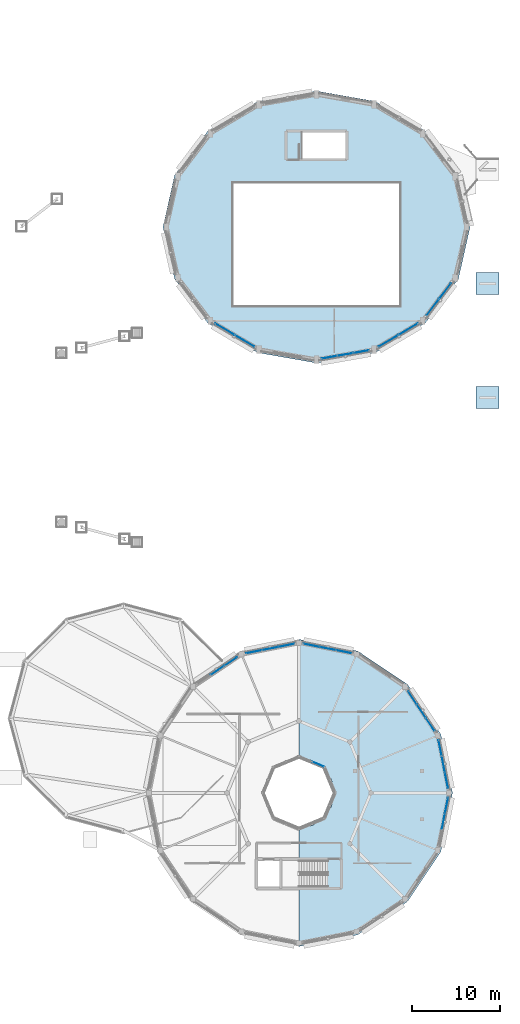
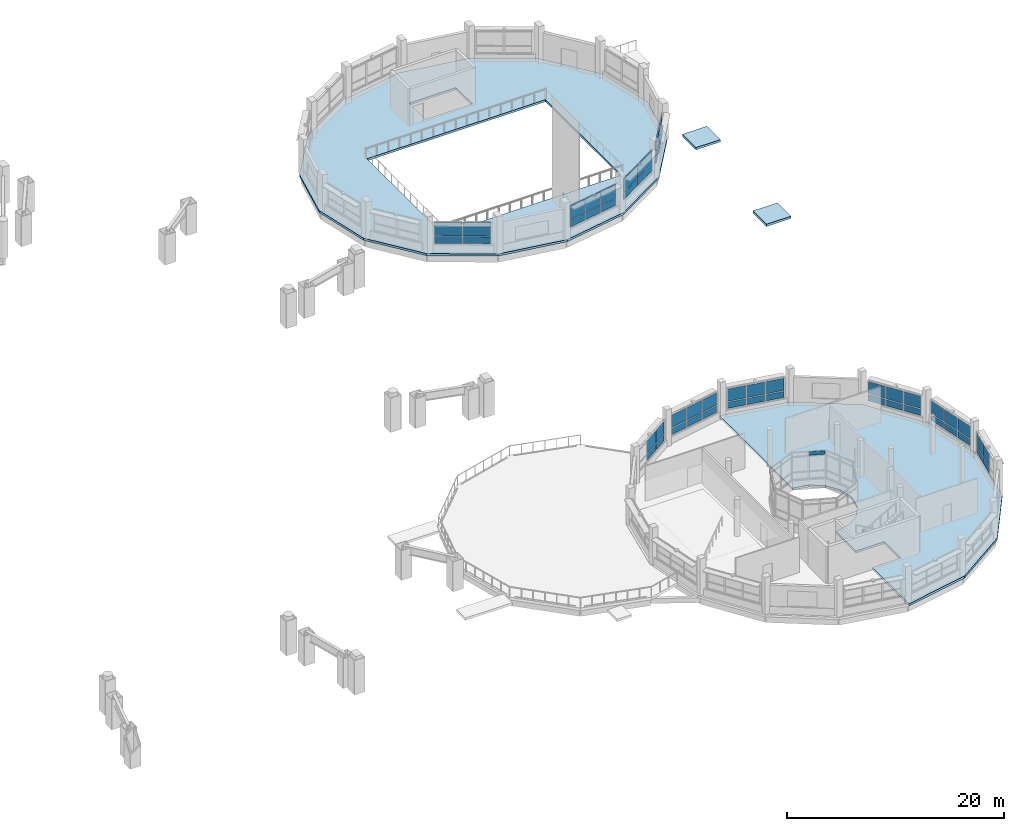
"""IFC4 building model written with IfcOpenShell, lengths in metres."""

from ifc_helpers import new_model, si_unit, direction, frame, origin, origin_2d, place, context, subcontext, project, spatial, polyline, rectangle, outline, extrude, material, layer, layer_set, type_object, element, aggregate, save


model = new_model("IFC4")

# Units and contexts
model_context = context("Model", 3, precision=1e-05, world=origin(), true_north=direction((0.0, 1.0)))
body_context = subcontext(model_context, "Body", "Model", "MODEL_VIEW")
ifc_project = project(units=[si_unit("LENGTHUNIT", "METRE"), si_unit("AREAUNIT", "SQUARE_METRE"), si_unit("VOLUMEUNIT", "CUBIC_METRE"), si_unit("PLANEANGLEUNIT", "RADIAN"), si_unit("MASSUNIT", "GRAM", prefix="KILO")], contexts=[model_context])

# Site, building, storey
site_placement = place(None, origin())
site = spatial("IfcSite", under=ifc_project, at=site_placement, CompositionType="ELEMENT")
building_placement = place(site_placement, origin())
building = spatial("IfcBuilding", under=site, at=building_placement, Name="Vespera Passage Community Centre", CompositionType="ELEMENT")
storey_1_placement = place(building_placement, frame((0.0, 0.0, 4.5)))
storey_1 = spatial("IfcBuildingStorey", under=building, at=storey_1_placement, Name="L01", CompositionType="ELEMENT", Elevation=4.5)

# Curtain wall, plates
ifc_material_1 = material(Name="Anodized aluminium 6063-T6", Category="aluminium")
ifc_layer_1 = layer(ifc_material_1, 0.159912109375)
ifc_layer_set_1 = layer_set([ifc_layer_1], Name="Anodized aluminium 6063-T6")
curtain_wall_type_1 = type_object("IfcCurtainWallType", Name="CW-105E", PredefinedType="NOTDEFINED", material=ifc_layer_set_1)
curtain_wall_1_placement = place(storey_1_placement, origin())
curtain_wall_1 = element("IfcCurtainWall", 1, at=curtain_wall_1_placement, inside=storey_1, type_object=curtain_wall_type_1, Name="Dining Drum Ribbon Curtain Wall L01.1", PredefinedType="NOTDEFINED")
ifc_material_2 = material(Name="Low-E insulated vision glass", Category="glass")
ifc_layer_2 = layer(ifc_material_2, 0.02001953125)
ifc_layer_set_2 = layer_set([ifc_layer_2], Name="Low-E insulated vision glass")
plate_type_1 = type_object("IfcPlateType", Name="PL-CWP-20E", PredefinedType="CURTAIN_PANEL", material=ifc_layer_set_2)
plate_1_placement = place(storey_1_placement, frame((157.084228515625, 30.1064453125, 0.89990234375), z_axis=(0.0, 0.0, 1.0), x_axis=(0.195096778691, -0.980783996069, 0.0)))
plate_1 = element("IfcPlate", 2, at=plate_1_placement, type_object=plate_type_1, Name="CW-105E panel 1.1", PredefinedType="CURTAIN_PANEL", context=body_context, shape_type="SweptSolid", body=[
    extrude(rectangle(XDim=1.789306640625, YDim=0.02001953125, at=origin_2d()), origin(), (0.0, 0.0, 1.0), 0.699951171875),
])
plate_2_placement = place(storey_1_placement, frame((157.084228515625, 30.1064453125, 1.699951171875), z_axis=(0.0, 0.0, 1.0), x_axis=(0.195096778691, -0.980783996069, 0.0)))
plate_2 = element("IfcPlate", 3, at=plate_2_placement, type_object=plate_type_1, Name="CW-105E panel 1.2", PredefinedType="CURTAIN_PANEL", context=body_context, shape_type="SweptSolid", body=[
    extrude(rectangle(XDim=1.789306640625, YDim=0.02001953125, at=origin_2d()), origin(), (0.0, 0.0, 1.0), 1.375),
])
plate_3_placement = place(storey_1_placement, frame((157.44921875, 28.27197265625, 0.89990234375), z_axis=(0.0, 0.0, 1.0), x_axis=(0.195096778691, -0.980783996069, 0.0)))
plate_3 = element("IfcPlate", 4, at=plate_3_placement, type_object=plate_type_1, Name="CW-105E panel 2.1", PredefinedType="CURTAIN_PANEL", context=body_context, shape_type="SweptSolid", body=[
    extrude(rectangle(XDim=1.82177734375, YDim=0.02001953125, at=origin_2d()), origin(), (0.0, 0.0, 1.0), 0.699951171875),
])
plate_4_placement = place(storey_1_placement, frame((157.44921875, 28.27197265625, 1.699951171875), z_axis=(0.0, 0.0, 1.0), x_axis=(0.195096778691, -0.980783996069, 0.0)))
plate_4 = element("IfcPlate", 5, at=plate_4_placement, type_object=plate_type_1, Name="CW-105E panel 2.2", PredefinedType="CURTAIN_PANEL", context=body_context, shape_type="SweptSolid", body=[
    extrude(rectangle(XDim=1.82177734375, YDim=0.02001953125, at=origin_2d()), origin(), (0.0, 0.0, 1.0), 1.375),
])
plate_5_placement = place(storey_1_placement, frame((157.81396484375, 26.4375, 0.89990234375), z_axis=(0.0, 0.0, 1.0), x_axis=(0.195096778691, -0.980783996069, 0.0)))
plate_5 = element("IfcPlate", 6, at=plate_5_placement, type_object=plate_type_1, Name="CW-105E panel 3.1", PredefinedType="CURTAIN_PANEL", context=body_context, shape_type="SweptSolid", body=[
    extrude(rectangle(XDim=1.789306640625, YDim=0.02001953125, at=origin_2d()), origin(), (0.0, 0.0, 1.0), 0.699951171875),
])
plate_6_placement = place(storey_1_placement, frame((157.81396484375, 26.4375, 1.699951171875), z_axis=(0.0, 0.0, 1.0), x_axis=(0.195096778691, -0.980783996069, 0.0)))
plate_6 = element("IfcPlate", 7, at=plate_6_placement, type_object=plate_type_1, Name="CW-105E panel 3.2", PredefinedType="CURTAIN_PANEL", context=body_context, shape_type="SweptSolid", body=[
    extrude(rectangle(XDim=1.789306640625, YDim=0.02001953125, at=origin_2d()), origin(), (0.0, 0.0, 1.0), 1.375),
])
aggregate(curtain_wall_1, [plate_1, plate_2, plate_3, plate_4, plate_5, plate_6])

ifc_material_3 = material(Name="Anodized aluminium 6063-T6", Category="aluminium")
ifc_layer_3 = layer(ifc_material_3, 0.159912109375)
ifc_layer_set_3 = layer_set([ifc_layer_3], Name="Anodized aluminium 6063-T6")
curtain_wall_type_2 = type_object("IfcCurtainWallType", Name="CW-106E", PredefinedType="NOTDEFINED", material=ifc_layer_set_3)
curtain_wall_2_placement = place(storey_1_placement, origin())
curtain_wall_2 = element("IfcCurtainWall", 8, at=curtain_wall_2_placement, inside=storey_1, type_object=curtain_wall_type_2, Name="Dining Drum Ribbon Curtain Wall L01.2", PredefinedType="NOTDEFINED")
plate_7_placement = place(storey_1_placement, frame((153.926025390625, 35.842529296875, 0.89990234375), z_axis=(0.0, 0.0, 1.0), x_axis=(0.555564700918, -0.831473308708, 0.0)))
plate_7 = element("IfcPlate", 9, at=plate_7_placement, type_object=plate_type_1, Name="CW-106E panel 1.1", PredefinedType="CURTAIN_PANEL", context=body_context, shape_type="SweptSolid", body=[
    extrude(rectangle(XDim=1.752685546875, YDim=0.02001953125, at=origin_2d()), origin(), (0.0, 0.0, 1.0), 0.699951171875),
])
plate_8_placement = place(storey_1_placement, frame((153.926025390625, 35.842529296875, 1.699951171875), z_axis=(0.0, 0.0, 1.0), x_axis=(0.555564700918, -0.831473308708, 0.0)))
plate_8 = element("IfcPlate", 10, at=plate_8_placement, type_object=plate_type_1, Name="CW-106E panel 1.2", PredefinedType="CURTAIN_PANEL", context=body_context, shape_type="SweptSolid", body=[
    extrude(rectangle(XDim=1.752685546875, YDim=0.02001953125, at=origin_2d()), origin(), (0.0, 0.0, 1.0), 1.375),
])
plate_9_placement = place(storey_1_placement, frame((154.94482421875, 34.317626953125, 0.89990234375), z_axis=(0.0, 0.0, 1.0), x_axis=(0.555564700918, -0.831473308708, 0.0)))
plate_9 = element("IfcPlate", 11, at=plate_9_placement, type_object=plate_type_1, Name="CW-106E panel 2.1", PredefinedType="CURTAIN_PANEL", context=body_context, shape_type="SweptSolid", body=[
    extrude(rectangle(XDim=1.78515625, YDim=0.02001953125, at=origin_2d()), origin(), (0.0, 0.0, 1.0), 0.699951171875),
])
plate_10_placement = place(storey_1_placement, frame((154.94482421875, 34.317626953125, 1.699951171875), z_axis=(0.0, 0.0, 1.0), x_axis=(0.555564700918, -0.831473308708, 0.0)))
plate_10 = element("IfcPlate", 12, at=plate_10_placement, type_object=plate_type_1, Name="CW-106E panel 2.2", PredefinedType="CURTAIN_PANEL", context=body_context, shape_type="SweptSolid", body=[
    extrude(rectangle(XDim=1.78515625, YDim=0.02001953125, at=origin_2d()), origin(), (0.0, 0.0, 1.0), 1.375),
])
plate_11_placement = place(storey_1_placement, frame((155.963623046875, 32.79296875, 0.89990234375), z_axis=(0.0, 0.0, 1.0), x_axis=(0.555564700918, -0.831473308708, 0.0)))
plate_11 = element("IfcPlate", 13, at=plate_11_placement, type_object=plate_type_1, Name="CW-106E panel 3.1", PredefinedType="CURTAIN_PANEL", context=body_context, shape_type="SweptSolid", body=[
    extrude(rectangle(XDim=1.752685546875, YDim=0.02001953125, at=origin_2d()), origin(), (0.0, 0.0, 1.0), 0.699951171875),
])
plate_12_placement = place(storey_1_placement, frame((155.963623046875, 32.79296875, 1.699951171875), z_axis=(0.0, 0.0, 1.0), x_axis=(0.555564700918, -0.831473308708, 0.0)))
plate_12 = element("IfcPlate", 14, at=plate_12_placement, type_object=plate_type_1, Name="CW-106E panel 3.2", PredefinedType="CURTAIN_PANEL", context=body_context, shape_type="SweptSolid", body=[
    extrude(rectangle(XDim=1.752685546875, YDim=0.02001953125, at=origin_2d()), origin(), (0.0, 0.0, 1.0), 1.375),
])
aggregate(curtain_wall_2, [plate_7, plate_8, plate_9, plate_10, plate_11, plate_12])

curtain_wall_3_placement = place(storey_1_placement, origin())
curtain_wall_3 = element("IfcCurtainWall", 15, at=curtain_wall_3_placement, inside=storey_1, type_object=curtain_wall_type_1, Name="Dining Drum Ribbon Curtain Wall L01.4", PredefinedType="NOTDEFINED")
plate_13_placement = place(storey_1_placement, frame((142.4375, 41.81396484375, 0.89990234375), z_axis=(0.0, 0.0, 1.0), x_axis=(0.980783996069, -0.195096778691, 0.0)))
plate_13 = element("IfcPlate", 16, at=plate_13_placement, type_object=plate_type_1, Name="CW-105E panel 1.1", PredefinedType="CURTAIN_PANEL", context=body_context, shape_type="SweptSolid", body=[
    extrude(rectangle(XDim=1.789306640625, YDim=0.02001953125, at=origin_2d()), origin(), (0.0, 0.0, 1.0), 0.699951171875),
])
plate_14_placement = place(storey_1_placement, frame((142.4375, 41.81396484375, 1.699951171875), z_axis=(0.0, 0.0, 1.0), x_axis=(0.980783996069, -0.195096778691, 0.0)))
plate_14 = element("IfcPlate", 17, at=plate_14_placement, type_object=plate_type_1, Name="CW-105E panel 1.2", PredefinedType="CURTAIN_PANEL", context=body_context, shape_type="SweptSolid", body=[
    extrude(rectangle(XDim=1.789306640625, YDim=0.02001953125, at=origin_2d()), origin(), (0.0, 0.0, 1.0), 1.375),
])
plate_15_placement = place(storey_1_placement, frame((144.27197265625, 41.44921875, 0.89990234375), z_axis=(0.0, 0.0, 1.0), x_axis=(0.980783996069, -0.195096778691, 0.0)))
plate_15 = element("IfcPlate", 18, at=plate_15_placement, type_object=plate_type_1, Name="CW-105E panel 2.1", PredefinedType="CURTAIN_PANEL", context=body_context, shape_type="SweptSolid", body=[
    extrude(rectangle(XDim=1.82177734375, YDim=0.02001953125, at=origin_2d()), origin(), (0.0, 0.0, 1.0), 0.699951171875),
])
plate_16_placement = place(storey_1_placement, frame((144.27197265625, 41.44921875, 1.699951171875), z_axis=(0.0, 0.0, 1.0), x_axis=(0.980783996069, -0.195096778691, 0.0)))
plate_16 = element("IfcPlate", 19, at=plate_16_placement, type_object=plate_type_1, Name="CW-105E panel 2.2", PredefinedType="CURTAIN_PANEL", context=body_context, shape_type="SweptSolid", body=[
    extrude(rectangle(XDim=1.82177734375, YDim=0.02001953125, at=origin_2d()), origin(), (0.0, 0.0, 1.0), 1.375),
])
plate_17_placement = place(storey_1_placement, frame((146.1064453125, 41.084228515625, 0.89990234375), z_axis=(0.0, 0.0, 1.0), x_axis=(0.980783996069, -0.195096778691, 0.0)))
plate_17 = element("IfcPlate", 20, at=plate_17_placement, type_object=plate_type_1, Name="CW-105E panel 3.1", PredefinedType="CURTAIN_PANEL", context=body_context, shape_type="SweptSolid", body=[
    extrude(rectangle(XDim=1.789306640625, YDim=0.02001953125, at=origin_2d()), origin(), (0.0, 0.0, 1.0), 0.699951171875),
])
plate_18_placement = place(storey_1_placement, frame((146.1064453125, 41.084228515625, 1.699951171875), z_axis=(0.0, 0.0, 1.0), x_axis=(0.980783996069, -0.195096778691, 0.0)))
plate_18 = element("IfcPlate", 21, at=plate_18_placement, type_object=plate_type_1, Name="CW-105E panel 3.2", PredefinedType="CURTAIN_PANEL", context=body_context, shape_type="SweptSolid", body=[
    extrude(rectangle(XDim=1.789306640625, YDim=0.02001953125, at=origin_2d()), origin(), (0.0, 0.0, 1.0), 1.375),
])
aggregate(curtain_wall_3, [plate_13, plate_14, plate_15, plate_16, plate_17, plate_18])

curtain_wall_4_placement = place(storey_1_placement, origin())
curtain_wall_4 = element("IfcCurtainWall", 22, at=curtain_wall_4_placement, inside=storey_1, type_object=curtain_wall_type_1, Name="Dining Drum Ribbon Curtain Wall L01.5", PredefinedType="NOTDEFINED")
plate_19_placement = place(storey_1_placement, frame((135.8935546875, 41.084228515625, 0.89990234375), z_axis=(0.0, 0.0, 1.0), x_axis=(0.980783996069, 0.195096778691, 0.0)))
plate_19 = element("IfcPlate", 23, at=plate_19_placement, type_object=plate_type_1, Name="CW-105E panel 1.1", PredefinedType="CURTAIN_PANEL", context=body_context, shape_type="SweptSolid", body=[
    extrude(rectangle(XDim=1.789306640625, YDim=0.02001953125, at=origin_2d()), origin(), (0.0, 0.0, 1.0), 0.699951171875),
])
plate_20_placement = place(storey_1_placement, frame((135.8935546875, 41.084228515625, 1.699951171875), z_axis=(0.0, 0.0, 1.0), x_axis=(0.980783996069, 0.195096778691, 0.0)))
plate_20 = element("IfcPlate", 24, at=plate_20_placement, type_object=plate_type_1, Name="CW-105E panel 1.2", PredefinedType="CURTAIN_PANEL", context=body_context, shape_type="SweptSolid", body=[
    extrude(rectangle(XDim=1.789306640625, YDim=0.02001953125, at=origin_2d()), origin(), (0.0, 0.0, 1.0), 1.375),
])
plate_21_placement = place(storey_1_placement, frame((137.72802734375, 41.44921875, 0.89990234375), z_axis=(0.0, 0.0, 1.0), x_axis=(0.980783996069, 0.195096778691, 0.0)))
plate_21 = element("IfcPlate", 25, at=plate_21_placement, type_object=plate_type_1, Name="CW-105E panel 2.1", PredefinedType="CURTAIN_PANEL", context=body_context, shape_type="SweptSolid", body=[
    extrude(rectangle(XDim=1.82177734375, YDim=0.02001953125, at=origin_2d()), origin(), (0.0, 0.0, 1.0), 0.699951171875),
])
plate_22_placement = place(storey_1_placement, frame((137.72802734375, 41.44921875, 1.699951171875), z_axis=(0.0, 0.0, 1.0), x_axis=(0.980783996069, 0.195096778691, 0.0)))
plate_22 = element("IfcPlate", 26, at=plate_22_placement, type_object=plate_type_1, Name="CW-105E panel 2.2", PredefinedType="CURTAIN_PANEL", context=body_context, shape_type="SweptSolid", body=[
    extrude(rectangle(XDim=1.82177734375, YDim=0.02001953125, at=origin_2d()), origin(), (0.0, 0.0, 1.0), 1.375),
])
plate_23_placement = place(storey_1_placement, frame((139.5625, 41.81396484375, 0.89990234375), z_axis=(0.0, 0.0, 1.0), x_axis=(0.980783996069, 0.195096778691, 0.0)))
plate_23 = element("IfcPlate", 27, at=plate_23_placement, type_object=plate_type_1, Name="CW-105E panel 3.1", PredefinedType="CURTAIN_PANEL", context=body_context, shape_type="SweptSolid", body=[
    extrude(rectangle(XDim=1.789306640625, YDim=0.02001953125, at=origin_2d()), origin(), (0.0, 0.0, 1.0), 0.699951171875),
])
plate_24_placement = place(storey_1_placement, frame((139.5625, 41.81396484375, 1.699951171875), z_axis=(0.0, 0.0, 1.0), x_axis=(0.980783996069, 0.195096778691, 0.0)))
plate_24 = element("IfcPlate", 28, at=plate_24_placement, type_object=plate_type_1, Name="CW-105E panel 3.2", PredefinedType="CURTAIN_PANEL", context=body_context, shape_type="SweptSolid", body=[
    extrude(rectangle(XDim=1.789306640625, YDim=0.02001953125, at=origin_2d()), origin(), (0.0, 0.0, 1.0), 1.375),
])
aggregate(curtain_wall_4, [plate_19, plate_20, plate_21, plate_22, plate_23, plate_24])

curtain_wall_5_placement = place(storey_1_placement, origin())
curtain_wall_5 = element("IfcCurtainWall", 29, at=curtain_wall_5_placement, inside=storey_1, type_object=curtain_wall_type_2, Name="Dining Drum Ribbon Curtain Wall L01.6", PredefinedType="NOTDEFINED")
plate_25_placement = place(storey_1_placement, frame((131.682373046875, 38.94482421875, 0.89990234375), z_axis=(0.0, 0.0, 1.0), x_axis=(0.831473308708, 0.555564700918, 0.0)))
plate_25 = element("IfcPlate", 30, at=plate_25_placement, type_object=plate_type_1, Name="CW-106E panel 2.1", PredefinedType="CURTAIN_PANEL", context=body_context, shape_type="SweptSolid", body=[
    extrude(rectangle(XDim=1.78515625, YDim=0.02001953125, at=origin_2d()), origin(), (0.0, 0.0, 1.0), 0.699951171875),
])
plate_26_placement = place(storey_1_placement, frame((131.682373046875, 38.94482421875, 1.699951171875), z_axis=(0.0, 0.0, 1.0), x_axis=(0.831473308708, 0.555564700918, 0.0)))
plate_26 = element("IfcPlate", 31, at=plate_26_placement, type_object=plate_type_1, Name="CW-106E panel 2.2", PredefinedType="CURTAIN_PANEL", context=body_context, shape_type="SweptSolid", body=[
    extrude(rectangle(XDim=1.78515625, YDim=0.02001953125, at=origin_2d()), origin(), (0.0, 0.0, 1.0), 1.375),
])
plate_27_placement = place(storey_1_placement, frame((133.20703125, 39.963623046875, 0.89990234375), z_axis=(0.0, 0.0, 1.0), x_axis=(0.831473308708, 0.555564700918, 0.0)))
plate_27 = element("IfcPlate", 32, at=plate_27_placement, type_object=plate_type_1, Name="CW-106E panel 3.1", PredefinedType="CURTAIN_PANEL", context=body_context, shape_type="SweptSolid", body=[
    extrude(rectangle(XDim=1.752685546875, YDim=0.02001953125, at=origin_2d()), origin(), (0.0, 0.0, 1.0), 0.699951171875),
])
plate_28_placement = place(storey_1_placement, frame((133.20703125, 39.963623046875, 1.699951171875), z_axis=(0.0, 0.0, 1.0), x_axis=(0.831473308708, 0.555564700918, 0.0)))
plate_28 = element("IfcPlate", 33, at=plate_28_placement, type_object=plate_type_1, Name="CW-106E panel 3.2", PredefinedType="CURTAIN_PANEL", context=body_context, shape_type="SweptSolid", body=[
    extrude(rectangle(XDim=1.752685546875, YDim=0.02001953125, at=origin_2d()), origin(), (0.0, 0.0, 1.0), 1.375),
])
aggregate(curtain_wall_5, [plate_25, plate_26, plate_27, plate_28])

curtain_wall_6_placement = place(storey_1_placement, origin())
curtain_wall_6 = element("IfcCurtainWall", 34, at=curtain_wall_6_placement, inside=storey_1, type_object=curtain_wall_type_1, Name="Dining Drum Ribbon Curtain Wall L01.16", PredefinedType="NOTDEFINED")
plate_29_placement = place(storey_1_placement, frame((157.81396484375, 23.5625, 0.89990234375), z_axis=(0.0, 0.0, 1.0), x_axis=(-0.195096778691, -0.980783996069, 0.0)))
plate_29 = element("IfcPlate", 35, at=plate_29_placement, type_object=plate_type_1, Name="CW-105E panel 1.1", PredefinedType="CURTAIN_PANEL", context=body_context, shape_type="SweptSolid", body=[
    extrude(rectangle(XDim=1.789306640625, YDim=0.02001953125, at=origin_2d()), origin(), (0.0, 0.0, 1.0), 0.699951171875),
])
plate_30_placement = place(storey_1_placement, frame((157.81396484375, 23.5625, 1.699951171875), z_axis=(0.0, 0.0, 1.0), x_axis=(-0.195096778691, -0.980783996069, 0.0)))
plate_30 = element("IfcPlate", 36, at=plate_30_placement, type_object=plate_type_1, Name="CW-105E panel 1.2", PredefinedType="CURTAIN_PANEL", context=body_context, shape_type="SweptSolid", body=[
    extrude(rectangle(XDim=1.789306640625, YDim=0.02001953125, at=origin_2d()), origin(), (0.0, 0.0, 1.0), 1.375),
])
plate_31_placement = place(storey_1_placement, frame((157.44921875, 21.72802734375, 0.89990234375), z_axis=(0.0, 0.0, 1.0), x_axis=(-0.195096778691, -0.980783996069, 0.0)))
plate_31 = element("IfcPlate", 37, at=plate_31_placement, type_object=plate_type_1, Name="CW-105E panel 2.1", PredefinedType="CURTAIN_PANEL", context=body_context, shape_type="SweptSolid", body=[
    extrude(rectangle(XDim=1.82177734375, YDim=0.02001953125, at=origin_2d()), origin(), (0.0, 0.0, 1.0), 0.699951171875),
])
plate_32_placement = place(storey_1_placement, frame((157.44921875, 21.72802734375, 1.699951171875), z_axis=(0.0, 0.0, 1.0), x_axis=(-0.195096778691, -0.980783996069, 0.0)))
plate_32 = element("IfcPlate", 38, at=plate_32_placement, type_object=plate_type_1, Name="CW-105E panel 2.2", PredefinedType="CURTAIN_PANEL", context=body_context, shape_type="SweptSolid", body=[
    extrude(rectangle(XDim=1.82177734375, YDim=0.02001953125, at=origin_2d()), origin(), (0.0, 0.0, 1.0), 1.375),
])
aggregate(curtain_wall_6, [plate_29, plate_30, plate_31, plate_32])

# Curtain wall, plate
ifc_material_4 = material(Name="Anodized aluminium 6063-T6", Category="aluminium")
ifc_layer_4 = layer(ifc_material_4, 0.159912109375)
ifc_layer_set_4 = layer_set([ifc_layer_4], Name="Anodized aluminium 6063-T6")
curtain_wall_type_3 = type_object("IfcCurtainWallType", Name="CW-107E", PredefinedType="NOTDEFINED", material=ifc_layer_set_4)
curtain_wall_7_placement = place(storey_1_placement, origin())
curtain_wall_7 = element("IfcCurtainWall", 39, at=curtain_wall_7_placement, inside=storey_1, type_object=curtain_wall_type_3, Name="V3 L01 Inner Court Ribbon Curtain Wall 2", PredefinedType="NOTDEFINED")
plate_33_placement = place(storey_1_placement, frame((143.20166015625, 28.26806640625, 3.43994140625), z_axis=(0.0, 0.0, 1.0), x_axis=(-0.923878540804, 0.382685826549, 0.0)))
plate_33 = element("IfcPlate", 40, at=plate_33_placement, type_object=plate_type_1, Name="CW-107E panel 1.3", PredefinedType="CURTAIN_PANEL", context=body_context, shape_type="SweptSolid", body=[
    extrude(rectangle(XDim=1.502197265625, YDim=0.02001953125, at=origin_2d()), origin(), (0.0, 0.0, 1.0), 0.39990234375),
])
aggregate(curtain_wall_7, [plate_33])

# Curtain wall, plates
ifc_material_5 = material(Name="Anodized aluminium 6063-T6", Category="aluminium")
ifc_layer_5 = layer(ifc_material_5, 0.159912109375)
ifc_layer_set_5 = layer_set([ifc_layer_5], Name="Anodized aluminium 6063-T6")
curtain_wall_type_4 = type_object("IfcCurtainWallType", Name="CW-94E", PredefinedType="NOTDEFINED", material=ifc_layer_set_5)
curtain_wall_8_placement = place(storey_1_placement, origin())
curtain_wall_8 = element("IfcCurtainWall", 41, at=curtain_wall_8_placement, inside=storey_1, type_object=curtain_wall_type_4, Name="Sports Drum Ribbon Curtain Wall L01.11", PredefinedType="NOTDEFINED")
ifc_material_6 = material(Name="Low-E insulated vision glass", Category="glass")
ifc_layer_6 = layer(ifc_material_6, 0.028076171875)
ifc_layer_set_6 = layer_set([ifc_layer_6], Name="Low-E insulated vision glass")
plate_type_2 = type_object("IfcPlateType", Name="PL-CWP-28E", PredefinedType="CURTAIN_PANEL", material=ifc_layer_set_6)
plate_34_placement = place(storey_1_placement, frame((134.810546875, 76.5205078125, 0.91015625), z_axis=(0.0, 0.0, 1.0), x_axis=(-0.861256740157, 0.50817007737, 0.0)))
plate_34 = element("IfcPlate", 42, at=plate_34_placement, type_object=plate_type_2, Name="CW-94E panel 1.1", PredefinedType="CURTAIN_PANEL", context=body_context, shape_type="SweptSolid", body=[
    extrude(rectangle(XDim=2.544677734375, YDim=0.028076171875, at=origin_2d()), origin(), (0.0, 0.0, 1.0), 0.760009765625),
])
plate_35_placement = place(storey_1_placement, frame((134.810546875, 76.5205078125, 1.72998046875), z_axis=(0.0, 0.0, 1.0), x_axis=(-0.861256740157, 0.50817007737, 0.0)))
plate_35 = element("IfcPlate", 43, at=plate_35_placement, type_object=plate_type_2, Name="CW-94E panel 1.2", PredefinedType="CURTAIN_PANEL", context=body_context, shape_type="SweptSolid", body=[
    extrude(rectangle(XDim=2.544677734375, YDim=0.028076171875, at=origin_2d()), origin(), (0.0, 0.0, 1.0), 1.574951171875),
])
plate_36_placement = place(storey_1_placement, frame((132.55419921875, 77.851806640625, 0.91015625), z_axis=(0.0, 0.0, 1.0), x_axis=(-0.861256740157, 0.50817007737, 0.0)))
plate_36 = element("IfcPlate", 44, at=plate_36_placement, type_object=plate_type_2, Name="CW-94E panel 2.1", PredefinedType="CURTAIN_PANEL", context=body_context, shape_type="SweptSolid", body=[
    extrude(rectangle(XDim=2.544677734375, YDim=0.028076171875, at=origin_2d()), origin(), (0.0, 0.0, 1.0), 0.760009765625),
])
plate_37_placement = place(storey_1_placement, frame((132.55419921875, 77.851806640625, 1.72998046875), z_axis=(0.0, 0.0, 1.0), x_axis=(-0.861256740157, 0.50817007737, 0.0)))
plate_37 = element("IfcPlate", 45, at=plate_37_placement, type_object=plate_type_2, Name="CW-94E panel 2.2", PredefinedType="CURTAIN_PANEL", context=body_context, shape_type="SweptSolid", body=[
    extrude(rectangle(XDim=2.544677734375, YDim=0.028076171875, at=origin_2d()), origin(), (0.0, 0.0, 1.0), 1.574951171875),
])
aggregate(curtain_wall_8, [plate_34, plate_35, plate_36, plate_37])

ifc_material_7 = material(Name="Anodized aluminium 6063-T6", Category="aluminium")
ifc_layer_7 = layer(ifc_material_7, 0.159912109375)
ifc_layer_set_7 = layer_set([ifc_layer_7], Name="Anodized aluminium 6063-T6")
curtain_wall_type_5 = type_object("IfcCurtainWallType", Name="CW-95E", PredefinedType="NOTDEFINED", material=ifc_layer_set_7)
curtain_wall_9_placement = place(storey_1_placement, origin())
curtain_wall_9 = element("IfcCurtainWall", 46, at=curtain_wall_9_placement, inside=storey_1, type_object=curtain_wall_type_5, Name="Sports Drum Ribbon Curtain Wall L01.13", PredefinedType="NOTDEFINED")
plate_38_placement = place(storey_1_placement, frame((148.093505859375, 75.294677734375, 0.91015625), z_axis=(0.0, 0.0, 1.0), x_axis=(-0.984922802731, -0.172994429562, 0.0)))
plate_38 = element("IfcPlate", 47, at=plate_38_placement, type_object=plate_type_2, Name="CW-95E panel 1.1", PredefinedType="CURTAIN_PANEL", context=body_context, shape_type="SweptSolid", body=[
    extrude(rectangle(XDim=1.755859375, YDim=0.028076171875, at=origin_2d()), origin(), (0.0, 0.0, 1.0), 0.760009765625),
])
plate_39_placement = place(storey_1_placement, frame((148.093505859375, 75.294677734375, 1.72998046875), z_axis=(0.0, 0.0, 1.0), x_axis=(-0.984922802731, -0.172994429562, 0.0)))
plate_39 = element("IfcPlate", 48, at=plate_39_placement, type_object=plate_type_2, Name="CW-95E panel 1.2", PredefinedType="CURTAIN_PANEL", context=body_context, shape_type="SweptSolid", body=[
    extrude(rectangle(XDim=1.755859375, YDim=0.028076171875, at=origin_2d()), origin(), (0.0, 0.0, 1.0), 1.574951171875),
])
plate_40_placement = place(storey_1_placement, frame((146.27197265625, 74.974609375, 0.91015625), z_axis=(0.0, 0.0, 1.0), x_axis=(-0.984922802731, -0.172994429562, 0.0)))
plate_40 = element("IfcPlate", 49, at=plate_40_placement, type_object=plate_type_2, Name="CW-95E panel 2.1", PredefinedType="CURTAIN_PANEL", context=body_context, shape_type="SweptSolid", body=[
    extrude(rectangle(XDim=1.793212890625, YDim=0.028076171875, at=origin_2d()), origin(), (0.0, 0.0, 1.0), 0.760009765625),
])
plate_41_placement = place(storey_1_placement, frame((146.27197265625, 74.974609375, 1.72998046875), z_axis=(0.0, 0.0, 1.0), x_axis=(-0.984922802731, -0.172994429562, 0.0)))
plate_41 = element("IfcPlate", 50, at=plate_41_placement, type_object=plate_type_2, Name="CW-95E panel 2.2", PredefinedType="CURTAIN_PANEL", context=body_context, shape_type="SweptSolid", body=[
    extrude(rectangle(XDim=1.793212890625, YDim=0.028076171875, at=origin_2d()), origin(), (0.0, 0.0, 1.0), 1.574951171875),
])
plate_42_placement = place(storey_1_placement, frame((144.4501953125, 74.65478515625, 0.91015625), z_axis=(0.0, 0.0, 1.0), x_axis=(-0.984922802731, -0.172994429562, 0.0)))
plate_42 = element("IfcPlate", 51, at=plate_42_placement, type_object=plate_type_2, Name="CW-95E panel 3.1", PredefinedType="CURTAIN_PANEL", context=body_context, shape_type="SweptSolid", body=[
    extrude(rectangle(XDim=1.755859375, YDim=0.028076171875, at=origin_2d()), origin(), (0.0, 0.0, 1.0), 0.760009765625),
])
plate_43_placement = place(storey_1_placement, frame((144.4501953125, 74.65478515625, 1.72998046875), z_axis=(0.0, 0.0, 1.0), x_axis=(-0.984922802731, -0.172994429562, 0.0)))
plate_43 = element("IfcPlate", 52, at=plate_43_placement, type_object=plate_type_2, Name="CW-95E panel 3.2", PredefinedType="CURTAIN_PANEL", context=body_context, shape_type="SweptSolid", body=[
    extrude(rectangle(XDim=1.755859375, YDim=0.028076171875, at=origin_2d()), origin(), (0.0, 0.0, 1.0), 1.574951171875),
])
aggregate(curtain_wall_9, [plate_38, plate_39, plate_40, plate_41, plate_42, plate_43])

curtain_wall_10_placement = place(storey_1_placement, origin())
curtain_wall_10 = element("IfcCurtainWall", 53, at=curtain_wall_10_placement, inside=storey_1, type_object=curtain_wall_type_4, Name="Sports Drum Ribbon Curtain Wall L01.14", PredefinedType="NOTDEFINED")
plate_44_placement = place(storey_1_placement, frame((153.44580078125, 77.851806640625, 0.91015625), z_axis=(0.0, 0.0, 1.0), x_axis=(-0.861256740157, -0.50817007737, 0.0)))
plate_44 = element("IfcPlate", 54, at=plate_44_placement, type_object=plate_type_2, Name="CW-94E panel 1.1", PredefinedType="CURTAIN_PANEL", context=body_context, shape_type="SweptSolid", body=[
    extrude(rectangle(XDim=2.544677734375, YDim=0.028076171875, at=origin_2d()), origin(), (0.0, 0.0, 1.0), 0.760009765625),
])
plate_45_placement = place(storey_1_placement, frame((153.44580078125, 77.851806640625, 1.72998046875), z_axis=(0.0, 0.0, 1.0), x_axis=(-0.861256740157, -0.50817007737, 0.0)))
plate_45 = element("IfcPlate", 55, at=plate_45_placement, type_object=plate_type_2, Name="CW-94E panel 1.2", PredefinedType="CURTAIN_PANEL", context=body_context, shape_type="SweptSolid", body=[
    extrude(rectangle(XDim=2.544677734375, YDim=0.028076171875, at=origin_2d()), origin(), (0.0, 0.0, 1.0), 1.574951171875),
])
plate_46_placement = place(storey_1_placement, frame((151.189453125, 76.5205078125, 0.91015625), z_axis=(0.0, 0.0, 1.0), x_axis=(-0.861256740157, -0.50817007737, 0.0)))
plate_46 = element("IfcPlate", 56, at=plate_46_placement, type_object=plate_type_2, Name="CW-94E panel 2.1", PredefinedType="CURTAIN_PANEL", context=body_context, shape_type="SweptSolid", body=[
    extrude(rectangle(XDim=2.544677734375, YDim=0.028076171875, at=origin_2d()), origin(), (0.0, 0.0, 1.0), 0.760009765625),
])
plate_47_placement = place(storey_1_placement, frame((151.189453125, 76.5205078125, 1.72998046875), z_axis=(0.0, 0.0, 1.0), x_axis=(-0.861256740157, -0.50817007737, 0.0)))
plate_47 = element("IfcPlate", 57, at=plate_47_placement, type_object=plate_type_2, Name="CW-94E panel 2.2", PredefinedType="CURTAIN_PANEL", context=body_context, shape_type="SweptSolid", body=[
    extrude(rectangle(XDim=2.544677734375, YDim=0.028076171875, at=origin_2d()), origin(), (0.0, 0.0, 1.0), 1.574951171875),
])
aggregate(curtain_wall_10, [plate_44, plate_45, plate_46, plate_47])

ifc_material_8 = material(Name="Anodized aluminium 6063-T6", Category="aluminium")
ifc_layer_8 = layer(ifc_material_8, 0.159912109375)
ifc_layer_set_8 = layer_set([ifc_layer_8], Name="Anodized aluminium 6063-T6")
curtain_wall_type_6 = type_object("IfcCurtainWallType", Name="CW-96E", PredefinedType="NOTDEFINED", material=ifc_layer_set_8)
curtain_wall_11_placement = place(storey_1_placement, origin())
curtain_wall_11 = element("IfcCurtainWall", 58, at=curtain_wall_11_placement, inside=storey_1, type_object=curtain_wall_type_6, Name="Sports Drum Ribbon Curtain Wall L01.15", PredefinedType="NOTDEFINED")
plate_48_placement = place(storey_1_placement, frame((157.6455078125, 82.197998046875, 0.91015625), z_axis=(0.0, 0.0, 1.0), x_axis=(-0.603405522961, -0.797434495654, 0.0)))
plate_48 = element("IfcPlate", 59, at=plate_48_placement, type_object=plate_type_2, Name="CW-96E panel 1.1", PredefinedType="CURTAIN_PANEL", context=body_context, shape_type="SweptSolid", body=[
    extrude(rectangle(XDim=2.246826171875, YDim=0.028076171875, at=origin_2d()), origin(), (0.0, 0.0, 1.0), 0.760009765625),
])
plate_49_placement = place(storey_1_placement, frame((157.6455078125, 82.197998046875, 1.72998046875), z_axis=(0.0, 0.0, 1.0), x_axis=(-0.603405522961, -0.797434495654, 0.0)))
plate_49 = element("IfcPlate", 60, at=plate_49_placement, type_object=plate_type_2, Name="CW-96E panel 1.2", PredefinedType="CURTAIN_PANEL", context=body_context, shape_type="SweptSolid", body=[
    extrude(rectangle(XDim=2.246826171875, YDim=0.028076171875, at=origin_2d()), origin(), (0.0, 0.0, 1.0), 1.574951171875),
])
plate_50_placement = place(storey_1_placement, frame((156.244384765625, 80.34619140625, 0.91015625), z_axis=(0.0, 0.0, 1.0), x_axis=(-0.603405522961, -0.797434495654, 0.0)))
plate_50 = element("IfcPlate", 61, at=plate_50_placement, type_object=plate_type_2, Name="CW-96E panel 2.1", PredefinedType="CURTAIN_PANEL", context=body_context, shape_type="SweptSolid", body=[
    extrude(rectangle(XDim=2.246826171875, YDim=0.028076171875, at=origin_2d()), origin(), (0.0, 0.0, 1.0), 0.760009765625),
])
plate_51_placement = place(storey_1_placement, frame((156.244384765625, 80.34619140625, 1.72998046875), z_axis=(0.0, 0.0, 1.0), x_axis=(-0.603405522961, -0.797434495654, 0.0)))
plate_51 = element("IfcPlate", 62, at=plate_51_placement, type_object=plate_type_2, Name="CW-96E panel 2.2", PredefinedType="CURTAIN_PANEL", context=body_context, shape_type="SweptSolid", body=[
    extrude(rectangle(XDim=2.246826171875, YDim=0.028076171875, at=origin_2d()), origin(), (0.0, 0.0, 1.0), 1.574951171875),
])
aggregate(curtain_wall_11, [plate_48, plate_49, plate_50, plate_51])

# Storey
storey_2_placement = place(building_placement, origin())
storey_2 = spatial("IfcBuildingStorey", under=building, at=storey_2_placement, Name="L00", CompositionType="ELEMENT", Elevation=0.0)

# Ramp, slabs
ifc_material_9 = material(Name="Concrete f'c 35 MPa", Category="concrete")
ramp_type = type_object("IfcRampType", Name="RMP-BRIDGE", PredefinedType="STRAIGHT_RUN_RAMP", material=ifc_material_9)
ramp_placement = place(storey_2_placement, origin())
ramp = element("IfcRamp", 63, at=ramp_placement, inside=storey_2, type_object=ramp_type, Name="East Court Ramped Garden Bridge RB1", PredefinedType="STRAIGHT_RUN_RAMP")
ifc_material_10 = material(Name="Concrete f'c 35 MPa", Category="concrete")
ifc_layer_9 = layer(ifc_material_10, 0.260009765625)
ifc_layer_set_9 = layer_set([ifc_layer_9], Name="Concrete f'c 35 MPa")
slab_type_1 = type_object("IfcSlabType", Name="SL-RLAND-260E", PredefinedType="LANDING", material=ifc_layer_set_9)
slab_1_placement = place(storey_1_placement, frame((0.0, 0.0, -1.760009765625)))
slab_1 = element("IfcSlab", 64, at=slab_1_placement, inside=storey_1, type_object=slab_type_1, Name="Ramped Garden Bridge Landing 5", PredefinedType="LANDING", context=body_context, shape_type="SweptSolid", body=[
    extrude(outline(polyline([(161.199951171875, 68.800048828125), (163.800048828125, 68.800048828125), (163.800048828125, 71.300048828125), (161.199951171875, 71.300048828125), (161.199951171875, 68.800048828125)])), origin(), (0.0, 0.0, 1.0), 0.260009765625),
])
slab_2_placement = place(storey_1_placement, frame((0.0, 0.0, -1.010009765625)))
slab_2 = element("IfcSlab", 65, at=slab_2_placement, inside=storey_1, type_object=slab_type_1, Name="Ramped Garden Bridge Landing 6", PredefinedType="LANDING", context=body_context, shape_type="SweptSolid", body=[
    extrude(outline(polyline([(161.199951171875, 81.800048828125), (163.800048828125, 81.800048828125), (163.800048828125, 84.300048828125), (161.199951171875, 84.300048828125), (161.199951171875, 81.800048828125)])), origin(), (0.0, 0.0, 1.0), 0.260009765625),
])
aggregate(ramp, [slab_1, slab_2])

# Slabs
ifc_material_11 = material(Name="Concrete f'c 35 MPa", Category="concrete")
ifc_layer_10 = layer(ifc_material_11, 0.239990234375)
ifc_layer_set_10 = layer_set([ifc_layer_10], Name="Concrete f'c 35 MPa")
slab_type_2 = type_object("IfcSlabType", Name="SL-TYP-240", PredefinedType="FLOOR", material=ifc_layer_set_10)
slab_3_placement = place(storey_1_placement, frame((0.0, 0.0, -0.239990234375)))
element("IfcSlab", 66, at=slab_3_placement, inside=storey_1, type_object=slab_type_2, Name="V2 L01 Spectator and Fitness Gallery Slab", PredefinedType="FLOOR", context=body_context, shape_type="SweptSolid", body=[
    extrude(outline(polyline([(155.37451171875, 78.539794921875), (149.697021484375, 75.179931640625), (143.0, 74.0), (136.302978515625, 75.179931640625), (130.62548828125, 78.539794921875), (126.83203125, 83.568359375), (125.5, 89.5), (126.83203125, 95.431640625), (130.62548828125, 100.460205078125), (136.302978515625, 103.820068359375), (143.0, 105.0), (149.697021484375, 103.820068359375), (155.37451171875, 100.460205078125), (159.16796875, 95.431640625), (160.5, 89.5), (159.16796875, 83.568359375), (155.37451171875, 78.539794921875)]), holes=[polyline([(146.324951171875, 100.300048828125), (141.35498046875, 100.300048828125), (141.35498046875, 97.300048828125), (146.324951171875, 97.300048828125), (146.324951171875, 100.300048828125)]), polyline([(152.5, 80.5), (152.5, 94.5), (133.5, 94.5), (133.5, 80.5), (152.5, 80.5)])]), origin(), (0.0, 0.0, 1.0), 0.239990234375),
])
slab_4_placement = place(storey_1_placement, frame((0.0, 0.0, -0.239990234375)))
element("IfcSlab", 67, at=slab_4_placement, inside=storey_1, type_object=slab_type_2, Name="V3 L01 E Sector Slab", PredefinedType="FLOOR", context=body_context, shape_type="SweptSolid", body=[
    extrude(outline(polyline([(147.697021484375, 8.83203125), (141.0, 7.5), (141.0, 14.300048828125), (144.014892578125, 14.300048828125), (144.014892578125, 17.300048828125), (141.0, 17.300048828125), (141.0, 21.0), (142.53076171875, 21.304443359375), (143.828369140625, 22.171630859375), (144.695556640625, 23.46923828125), (145.0, 25.0), (144.695556640625, 26.53076171875), (143.828369140625, 27.828369140625), (142.53076171875, 28.695556640625), (141.0, 29.0), (141.0, 42.5), (147.697021484375, 41.16796875), (153.37451171875, 37.37451171875), (157.16796875, 31.697021484375), (158.5, 25.0), (157.16796875, 18.302978515625), (153.37451171875, 12.62548828125), (147.697021484375, 8.83203125)])), origin(), (0.0, 0.0, 1.0), 0.239990234375),
])

save(model, "model.ifc")
